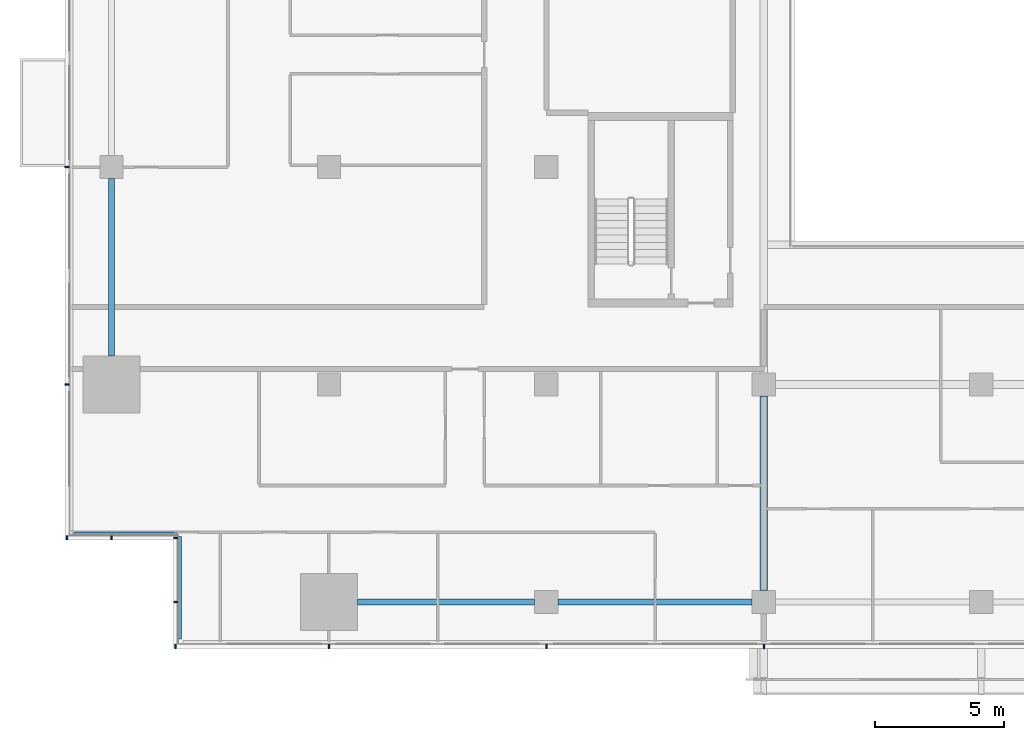
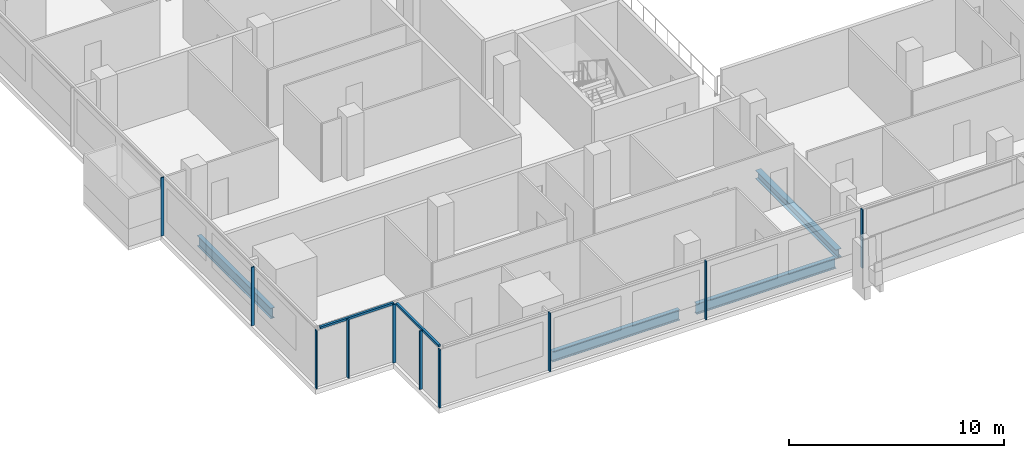
# One storey, part 2 of 26: 12 members, 4 beams, 4 elements without a shape of their own.
"""IFC4 building model written with IfcOpenShell, lengths in metres."""

from ifc_helpers import new_model, si_unit, direction, frame, origin, origin_2d, place, context, subcontext, project, spatial, rectangle, i_section, extrude, material, material_profile, profile_set, type_object, element, aggregate, save


model = new_model("IFC4")

# Units and contexts
model_context = context("Model", 3, precision=1e-05, world=origin(), true_north=direction((0.0, 1.0)))
body_context = subcontext(model_context, "Body", "Model", "MODEL_VIEW")
ifc_project = project(units=[si_unit("LENGTHUNIT", "METRE"), si_unit("AREAUNIT", "SQUARE_METRE"), si_unit("VOLUMEUNIT", "CUBIC_METRE"), si_unit("PLANEANGLEUNIT", "RADIAN"), si_unit("MASSUNIT", "GRAM", prefix="KILO")], contexts=[model_context])

# Site, building, storey
site_placement = place(None, origin())
site = spatial("IfcSite", under=ifc_project, at=site_placement, CompositionType="ELEMENT")
building_placement = place(site_placement, origin())
building = spatial("IfcBuilding", under=site, at=building_placement, Name="Saffron Gate Tower", CompositionType="ELEMENT")
storey_placement = place(building_placement, frame((0.0, 0.0, 62.39990234375)))
storey = spatial("IfcBuildingStorey", under=building, at=storey_placement, Name="L14", CompositionType="ELEMENT", Elevation=62.39990234375)

# Beams
ifc_material_1 = material(Name="Structural steel S355", Category="steel")
ifc_material_profile_1 = material_profile(ifc_material_1, i_section(OverallWidth=0.219970703125, OverallDepth=0.60009765625, WebThickness=0.011962890625, FlangeThickness=0.01904296875, FilletRadius=0.02392578125, at=origin_2d()))
ifc_profile_set_1 = profile_set([ifc_material_profile_1], Name="Structural steel S355")
beam_type_1 = type_object("IfcBeamType", Name="B16 IPE 600", PredefinedType="SPANDREL", material=ifc_profile_set_1)
for number, where, z_axis, x_axis, name in (
    (1, (49.800048828125, 41.300048828125, -0.579833984375), (0.0, 1.0, 0.0), (-1.0, 0.0, 0.0), "B16 SPANDREL BEAM"),
    (2, (59.300048828125, 31.800048828125, -0.579833984375), (1.0, 0.0, 0.0), (0.0, 1.0, 0.0), "B16 SPANDREL BEAM"),
):
    element("IfcBeam", number, at=place(storey_placement, frame(where, z_axis=z_axis, x_axis=x_axis)), inside=storey, type_object=beam_type_1, Name=name, PredefinedType="SPANDREL", context=body_context, shape_type="SweptSolid", body=[
        extrude(i_section(OverallWidth=0.219970703125, OverallDepth=0.60009765625, WebThickness=0.011962890625, FlangeThickness=0.01904296875, FilletRadius=0.02392578125, at=origin_2d()), origin(), (0.0, 0.0, 1.0), 6.849853515625),
    ])
beam_1_placement = place(storey_placement, frame((67.050048828125, 31.800048828125, -0.579833984375), z_axis=(1.0, 0.0, 0.0), x_axis=(0.0, 1.0, 0.0)))
element("IfcBeam", 3, at=beam_1_placement, inside=storey, type_object=beam_type_1, Name="B16 SPANDREL BEAM", PredefinedType="SPANDREL", context=body_context, shape_type="SweptSolid", body=[
    extrude(i_section(OverallWidth=0.219970703125, OverallDepth=0.60009765625, WebThickness=0.011962890625, FlangeThickness=0.01904296875, FilletRadius=0.02392578125, at=origin_2d()), origin(), (0.0, 0.0, 1.0), 7.5),
])
ifc_material_profile_2 = material_profile(ifc_material_1, i_section(OverallWidth=0.300048828125, OverallDepth=0.489990234375, WebThickness=0.011962890625, FlangeThickness=0.02294921875, FilletRadius=0.027099609375, at=origin_2d()))
ifc_profile_set_2 = profile_set([ifc_material_profile_2], Name="Structural steel S355")
beam_type_2 = type_object("IfcBeamType", Name="B8 HEA 500", PredefinedType="BEAM", material=ifc_profile_set_2)
beam_2_placement = place(storey_placement, frame((75.0, 32.25, -0.52490234375), z_axis=(0.0, 1.0, 0.0), x_axis=(-1.0, 0.0, 0.0)))
element("IfcBeam", 4, at=beam_2_placement, inside=storey, type_object=beam_type_2, Name="B8 FLOOR GIRDER", PredefinedType="BEAM", context=body_context, shape_type="SweptSolid", body=[
    extrude(i_section(OverallWidth=0.300048828125, OverallDepth=0.489990234375, WebThickness=0.011962890625, FlangeThickness=0.02294921875, FilletRadius=0.027099609375, at=origin_2d()), origin(), (0.0, 0.0, 1.0), 7.5),
])

# Curtain wall, members
ifc_material_2 = material(Name="Aluminium, bronze anodised", Category="aluminium")
curtain_wall_type_1 = type_object("IfcCurtainWallType", Name="CWS1 curtain wall front facade", PredefinedType="NOTDEFINED", material=ifc_material_2)
curtain_wall_1_placement = place(storey_placement, origin())
curtain_wall_1 = element("IfcCurtainWall", 5, at=curtain_wall_1_placement, inside=storey, type_object=curtain_wall_type_1, Name="CWS1 run 1", PredefinedType="NOTDEFINED")
ifc_material_profile_3 = material_profile(ifc_material_2, rectangle(XDim=0.159912109375, YDim=0.06005859375, at=origin_2d()))
ifc_profile_set_3 = profile_set([ifc_material_profile_3], Name="Aluminium, bronze anodised")
member_type_1 = type_object("IfcMemberType", Name="CWS1 mullion 60x160", PredefinedType="MULLION", material=ifc_profile_set_3)
member_1_placement = place(storey_placement, frame((52.280029296875, 30.080078125, 0.0), z_axis=(0.0, 0.0, 1.0), x_axis=(0.0, 1.0, 0.0)))
member_1 = element("IfcMember", 6, at=member_1_placement, type_object=member_type_1, Name="CWS1 mullion 1", PredefinedType="MULLION", context=body_context, shape_type="SweptSolid", body=[
    extrude(rectangle(XDim=0.159912109375, YDim=0.06005859375, at=origin_2d()), origin(), (0.0, 0.0, 1.0), 3.320068359375),
])
member_2_placement = place(storey_placement, frame((58.199951171875, 30.080078125, 0.0), z_axis=(0.0, 0.0, 1.0), x_axis=(0.0, 1.0, 0.0)))
member_2 = element("IfcMember", 7, at=member_2_placement, type_object=member_type_1, Name="CWS1 mullion 2", PredefinedType="MULLION", context=body_context, shape_type="SweptSolid", body=[
    extrude(rectangle(XDim=0.159912109375, YDim=0.06005859375, at=origin_2d()), origin(), (0.0, 0.0, 1.0), 3.320068359375),
])
member_3_placement = place(storey_placement, frame((66.60009765625, 30.080078125, 0.0), z_axis=(0.0, 0.0, 1.0), x_axis=(0.0, 1.0, 0.0)))
member_3 = element("IfcMember", 8, at=member_3_placement, type_object=member_type_1, Name="CWS1 mullion 3", PredefinedType="MULLION", context=body_context, shape_type="SweptSolid", body=[
    extrude(rectangle(XDim=0.159912109375, YDim=0.06005859375, at=origin_2d()), origin(), (0.0, 0.0, 1.0), 3.320068359375),
])
member_4_placement = place(storey_placement, frame((75.0, 30.080078125, 0.0), z_axis=(0.0, 0.0, 1.0), x_axis=(0.0, 1.0, 0.0)))
member_4 = element("IfcMember", 9, at=member_4_placement, type_object=member_type_1, Name="CWS1 mullion 4", PredefinedType="MULLION", context=body_context, shape_type="SweptSolid", body=[
    extrude(rectangle(XDim=0.159912109375, YDim=0.06005859375, at=origin_2d()), origin(), (0.0, 0.0, 1.0), 3.320068359375),
])
aggregate(curtain_wall_1, [member_1, member_2, member_3, member_4])

curtain_wall_type_2 = type_object("IfcCurtainWallType", Name="CWS2 curtain wall side facades", PredefinedType="NOTDEFINED", material=ifc_material_2)
curtain_wall_2_placement = place(storey_placement, origin())
curtain_wall_2 = element("IfcCurtainWall", 10, at=curtain_wall_2_placement, inside=storey, type_object=curtain_wall_type_2, Name="CWS2 run 10", PredefinedType="NOTDEFINED")
ifc_material_profile_4 = material_profile(ifc_material_2, rectangle(XDim=0.159912109375, YDim=0.06005859375, at=origin_2d()))
ifc_profile_set_4 = profile_set([ifc_material_profile_4], Name="Aluminium, bronze anodised")
member_type_2 = type_object("IfcMemberType", Name="CWS2 mullion 60x160", PredefinedType="MULLION", material=ifc_profile_set_4)
member_5_placement = place(storey_placement, frame((48.080078125, 48.60009765625, 0.0), z_axis=(0.0, 0.0, 1.0), x_axis=(1.0, 0.0, 0.0)))
member_5 = element("IfcMember", 11, at=member_5_placement, type_object=member_type_2, Name="CWS2 mullion 4", PredefinedType="MULLION", context=body_context, shape_type="SweptSolid", body=[
    extrude(rectangle(XDim=0.159912109375, YDim=0.06005859375, at=origin_2d()), origin(), (0.0, 0.0, 1.0), 3.320068359375),
])
member_6_placement = place(storey_placement, frame((48.080078125, 40.199951171875, 0.0), z_axis=(0.0, 0.0, 1.0), x_axis=(1.0, 0.0, 0.0)))
member_6 = element("IfcMember", 12, at=member_6_placement, type_object=member_type_2, Name="CWS2 mullion 5", PredefinedType="MULLION", context=body_context, shape_type="SweptSolid", body=[
    extrude(rectangle(XDim=0.159912109375, YDim=0.06005859375, at=origin_2d()), origin(), (0.0, 0.0, 1.0), 3.320068359375),
])
aggregate(curtain_wall_2, [member_5, member_6])

# Curtain wall, member
curtain_wall_type_3 = type_object("IfcCurtainWallType", Name="CWS4 curtain wall corner returns", PredefinedType="NOTDEFINED", material=ifc_material_2)
curtain_wall_3_placement = place(storey_placement, origin())
curtain_wall_3 = element("IfcCurtainWall", 13, at=curtain_wall_3_placement, inside=storey, type_object=curtain_wall_type_3, Name="CWS4 run 11", PredefinedType="NOTDEFINED")
ifc_material_profile_5 = material_profile(ifc_material_2, rectangle(XDim=0.1201171875, YDim=0.1201171875, at=origin_2d()))
ifc_profile_set_5 = profile_set([ifc_material_profile_5], Name="Aluminium, bronze anodised")
member_type_3 = type_object("IfcMemberType", Name="CWS4 head transom", PredefinedType="USERDEFINED", material=ifc_profile_set_5)
member_7_placement = place(storey_placement, frame((48.367919921875, 34.447998046875, 3.260009765625), z_axis=(1.0, 0.0, 0.0), x_axis=(0.0, 1.0, 0.0)))
member_7 = element("IfcMember", 14, at=member_7_placement, type_object=member_type_3, Name="CWS4 head transom", ObjectType="TRANSOM", PredefinedType="USERDEFINED", context=body_context, shape_type="SweptSolid", body=[
    extrude(rectangle(XDim=0.1201171875, YDim=0.1201171875, at=origin_2d()), origin(), (0.0, 0.0, 1.0), 3.9599609375),
])

curtain_wall_4_placement = place(storey_placement, origin())
curtain_wall_4 = element("IfcCurtainWall", 15, at=curtain_wall_4_placement, inside=storey, type_object=curtain_wall_type_3, Name="CWS4 run 12", PredefinedType="NOTDEFINED")
member_8_placement = place(storey_placement, frame((52.447998046875, 34.327880859375, 3.260009765625), z_axis=(0.0, -1.0, 0.0), x_axis=(1.0, 0.0, 0.0)))
member_8 = element("IfcMember", 16, at=member_8_placement, type_object=member_type_3, Name="CWS4 head transom", ObjectType="TRANSOM", PredefinedType="USERDEFINED", context=body_context, shape_type="SweptSolid", body=[
    extrude(rectangle(XDim=0.1201171875, YDim=0.1201171875, at=origin_2d()), origin(), (0.0, 0.0, 1.0), 3.9599609375),
])

# Member
ifc_material_profile_6 = material_profile(ifc_material_2, rectangle(XDim=0.159912109375, YDim=0.06005859375, at=origin_2d()))
ifc_profile_set_6 = profile_set([ifc_material_profile_6], Name="Aluminium, bronze anodised")
member_type_4 = type_object("IfcMemberType", Name="CWS4 mullion 60x160", PredefinedType="MULLION", material=ifc_profile_set_6)
member_9_placement = place(storey_placement, frame((48.080078125, 34.280029296875, 0.0), z_axis=(0.0, 0.0, 1.0), x_axis=(0.0, 1.0, 0.0)))
member_9 = element("IfcMember", 17, at=member_9_placement, type_object=member_type_4, Name="CWS4 mullion 1", PredefinedType="MULLION", context=body_context, shape_type="SweptSolid", body=[
    extrude(rectangle(XDim=0.159912109375, YDim=0.06005859375, at=origin_2d()), origin(), (0.0, 0.0, 1.0), 3.320068359375),
])

member_10_placement = place(storey_placement, frame((49.800048828125, 34.280029296875, 0.0), z_axis=(0.0, 0.0, 1.0), x_axis=(0.0, 1.0, 0.0)))
member_10 = element("IfcMember", 18, at=member_10_placement, type_object=member_type_4, Name="CWS4 mullion 2", PredefinedType="MULLION", context=body_context, shape_type="SweptSolid", body=[
    extrude(rectangle(XDim=0.159912109375, YDim=0.06005859375, at=origin_2d()), origin(), (0.0, 0.0, 1.0), 3.320068359375),
])

aggregate(curtain_wall_3, [member_9, member_10, member_7])

member_11_placement = place(storey_placement, frame((52.280029296875, 34.280029296875, 0.0), z_axis=(0.0, 0.0, 1.0), x_axis=(1.0, 0.0, 0.0)))
member_11 = element("IfcMember", 19, at=member_11_placement, type_object=member_type_4, Name="CWS4 mullion 1", PredefinedType="MULLION", context=body_context, shape_type="SweptSolid", body=[
    extrude(rectangle(XDim=0.159912109375, YDim=0.06005859375, at=origin_2d()), origin(), (0.0, 0.0, 1.0), 3.320068359375),
])

member_12_placement = place(storey_placement, frame((52.280029296875, 31.800048828125, 0.0), z_axis=(0.0, 0.0, 1.0), x_axis=(1.0, 0.0, 0.0)))
member_12 = element("IfcMember", 20, at=member_12_placement, type_object=member_type_4, Name="CWS4 mullion 2", PredefinedType="MULLION", context=body_context, shape_type="SweptSolid", body=[
    extrude(rectangle(XDim=0.159912109375, YDim=0.06005859375, at=origin_2d()), origin(), (0.0, 0.0, 1.0), 3.320068359375),
])

aggregate(curtain_wall_4, [member_11, member_12, member_8])

save(model, "model.ifc")
